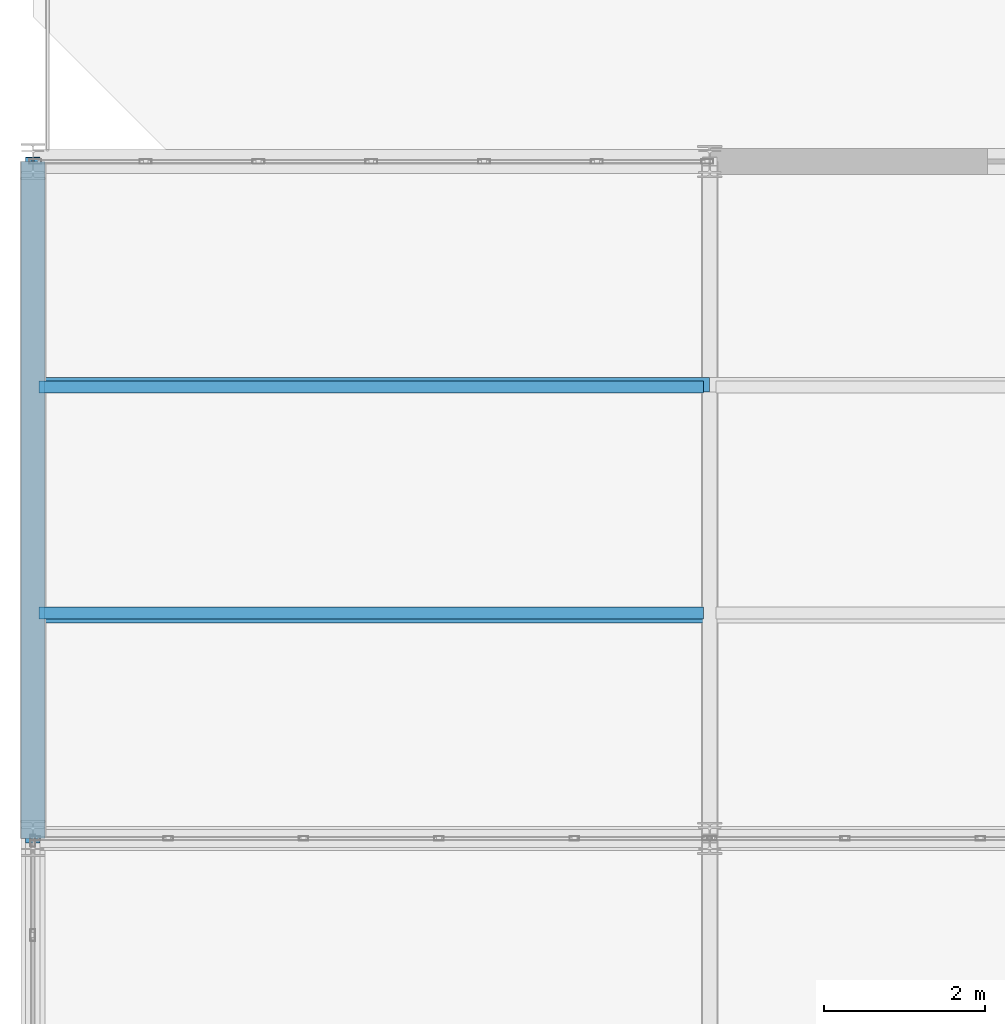
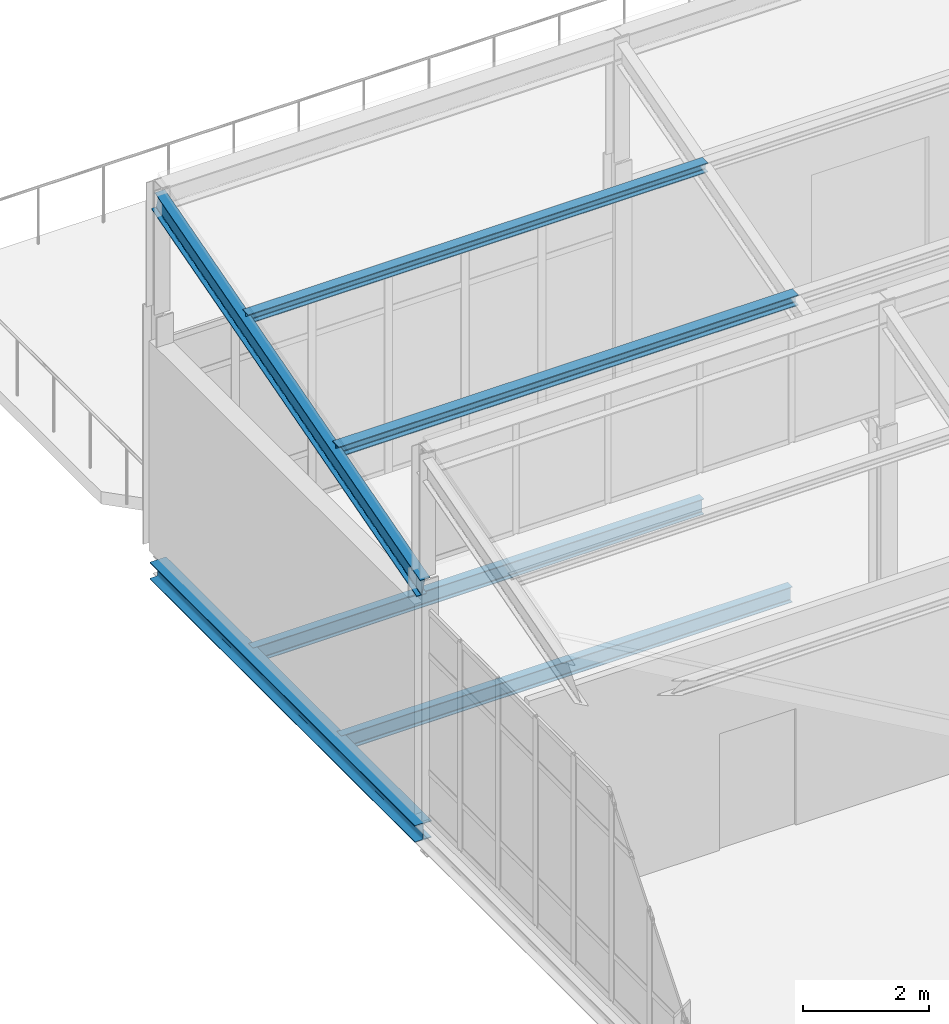
# One storey, part 19 of 53: 4 beams, 2 members.
"""IFC4 building model written with IfcOpenShell, lengths in metres."""

from ifc_helpers import new_model, si_unit, direction, frame, origin, origin_2d, place, context, subcontext, project, spatial, i_section, extrude, material, material_profile, profile_set, type_object, element, save


model = new_model("IFC4")

# Units and contexts
model_context = context("Model", 3, precision=1e-05, world=origin(), true_north=direction((0.0, 1.0)))
body_context = subcontext(model_context, "Body", "Model", "MODEL_VIEW")
ifc_project = project(units=[si_unit("LENGTHUNIT", "METRE"), si_unit("AREAUNIT", "SQUARE_METRE"), si_unit("VOLUMEUNIT", "CUBIC_METRE"), si_unit("PLANEANGLEUNIT", "RADIAN"), si_unit("MASSUNIT", "GRAM", prefix="KILO")], contexts=[model_context])

# Site, building, storey
site_placement = place(None, origin())
site = spatial("IfcSite", under=ifc_project, at=site_placement, CompositionType="ELEMENT")
building_placement = place(site_placement, origin())
building = spatial("IfcBuilding", under=site, at=building_placement, Name="Qalvenar Corner Mobility Hub", CompositionType="ELEMENT")
storey_placement = place(building_placement, frame((0.0, 0.0, 26.39990234375)))
storey = spatial("IfcBuildingStorey", under=building, at=storey_placement, Name="L06", CompositionType="ELEMENT", Elevation=26.39990234375)

# Beams
ifc_material = material(Name="Steel S355", Category="steel")
ifc_material_profile_1 = material_profile(ifc_material, i_section(OverallWidth=0.179931640625, OverallDepth=0.39990234375, WebThickness=0.008544921875, FlangeThickness=0.013427734375, FilletRadius=0.02099609375, at=origin_2d()), Name="IPE400")
ifc_profile_set_1 = profile_set([ifc_material_profile_1], Name="Steel S355")
beam_type_1 = type_object("IfcBeamType", Name="BM-IPE400", PredefinedType="BEAM", material=ifc_profile_set_1)
beam_1_placement = place(storey_placement, frame((0.0, 25.199951171875, 4.340087890625), z_axis=(0.0, 0.961528165748, 0.274706364092), x_axis=(-1.0, 0.0, 0.0)))
element("IfcBeam", 1, at=beam_1_placement, inside=storey, type_object=beam_type_1, Name="Sawtooth Rafter V3RF-4-1", PredefinedType="BEAM", context=body_context, shape_type="SweptSolid", body=[
    extrude(i_section(OverallWidth=0.179931640625, OverallDepth=0.39990234375, WebThickness=0.008544921875, FlangeThickness=0.013427734375, FilletRadius=0.02099609375, at=origin_2d()), origin(), (0.0, 0.0, 1.0), 8.736328125),
])
ifc_material_profile_2 = material_profile(ifc_material, i_section(OverallWidth=0.14990234375, OverallDepth=0.300048828125, WebThickness=0.007080078125, FlangeThickness=0.0107421875, FilletRadius=0.014892578125, at=origin_2d()), Name="IPE300")
ifc_profile_set_2 = profile_set([ifc_material_profile_2], Name="Steel S355")
beam_type_2 = type_object("IfcBeamType", Name="BM-JST300", PredefinedType="JOIST", material=ifc_profile_set_2)
for number, where, z_axis, x_axis, name in (
    (2, (0.077880859375, 28.0, -0.369873046875), (1.0, 0.0, 0.0), (0.0, 1.0, 0.0), "Composite Floor Joist J-3108"),
    (3, (0.077880859375, 30.800048828125, -0.369873046875), (1.0, 0.0, 0.0), (0.0, 1.0, 0.0), "Composite Floor Joist J-3109"),
):
    element("IfcBeam", number, at=place(storey_placement, frame(where, z_axis=z_axis, x_axis=x_axis)), inside=storey, type_object=beam_type_2, Name=name, PredefinedType="JOIST", context=body_context, shape_type="SweptSolid", body=[
        extrude(i_section(OverallWidth=0.14990234375, OverallDepth=0.300048828125, WebThickness=0.007080078125, FlangeThickness=0.0107421875, FilletRadius=0.014892578125, at=origin_2d()), origin(), (0.0, 0.0, 1.0), 8.244140625),
    ])
ifc_material_profile_3 = material_profile(ifc_material, i_section(OverallWidth=0.300048828125, OverallDepth=0.330078125, WebThickness=0.009521484375, FlangeThickness=0.0166015625, FilletRadius=0.027099609375, at=origin_2d()), Name="HEA340")
ifc_profile_set_3 = profile_set([ifc_material_profile_3], Name="Steel S355")
beam_type_3 = type_object("IfcBeamType", Name="BM-SPN340", PredefinedType="SPANDREL", material=ifc_profile_set_3)
beam_2_placement = place(storey_placement, frame((0.0, 25.199951171875, -0.385009765625), z_axis=(0.0, 1.0, 0.0), x_axis=(-1.0, 0.0, 0.0)))
element("IfcBeam", 4, at=beam_2_placement, inside=storey, type_object=beam_type_3, Name="Primary Steel Girder GY-3080", PredefinedType="SPANDREL", context=body_context, shape_type="SweptSolid", body=[
    extrude(i_section(OverallWidth=0.300048828125, OverallDepth=0.330078125, WebThickness=0.009521484375, FlangeThickness=0.0166015625, FilletRadius=0.027099609375, at=origin_2d()), origin(), (0.0, 0.0, 1.0), 8.400146484375),
])

# Members
ifc_material_profile_4 = material_profile(ifc_material, i_section(OverallWidth=0.179931640625, OverallDepth=0.179931640625, WebThickness=0.008544921875, FlangeThickness=0.013916015625, FilletRadius=0.014892578125, at=origin_2d()), Name="HEB180")
ifc_profile_set_4 = profile_set([ifc_material_profile_4], Name="Steel S355")
member_type_1 = type_object("IfcMemberType", Name="PR-RHS180", PredefinedType="PURLIN", material=ifc_profile_set_4)
member_1_placement = place(storey_placement, frame((0.0, 30.827880859375, 6.148193359375), z_axis=(1.0, 0.0, 0.0), x_axis=(0.0, 1.0, 0.0)))
element("IfcMember", 5, at=member_1_placement, inside=storey, type_object=member_type_1, Name="Sawtooth Roof Purlin PR-V3-4-1-67", PredefinedType="PURLIN", context=body_context, shape_type="SweptSolid", body=[
    extrude(i_section(OverallWidth=0.179931640625, OverallDepth=0.179931640625, WebThickness=0.008544921875, FlangeThickness=0.013916015625, FilletRadius=0.014892578125, at=origin_2d()), origin(), (0.0, 0.0, 1.0), 8.39990234375),
])
ifc_material_profile_5 = material_profile(ifc_material, i_section(OverallWidth=0.199951171875, OverallDepth=0.199951171875, WebThickness=0.009033203125, FlangeThickness=0.014892578125, FilletRadius=0.01806640625, at=origin_2d()), Name="HEB200")
ifc_profile_set_5 = profile_set([ifc_material_profile_5], Name="Steel S355")
member_type_2 = type_object("IfcMemberType", Name="PR-RHS200", PredefinedType="PURLIN", material=ifc_profile_set_5)
member_2_placement = place(storey_placement, frame((0.0, 27.971923828125, 5.322021484375), z_axis=(1.0, 0.0, 0.0), x_axis=(0.0, 1.0, 0.0)))
element("IfcMember", 6, at=member_2_placement, inside=storey, type_object=member_type_2, Name="Sawtooth Roof Purlin PR-V3-4-1-33", PredefinedType="PURLIN", context=body_context, shape_type="SweptSolid", body=[
    extrude(i_section(OverallWidth=0.199951171875, OverallDepth=0.199951171875, WebThickness=0.009033203125, FlangeThickness=0.014892578125, FilletRadius=0.01806640625, at=origin_2d()), origin(), (0.0, 0.0, 1.0), 8.39990234375),
])

save(model, "model.ifc")
